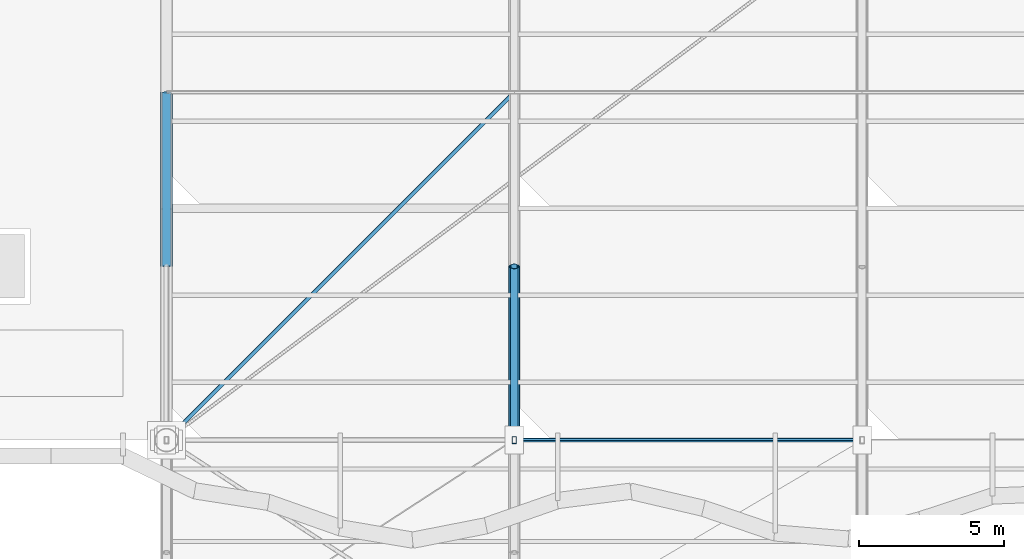
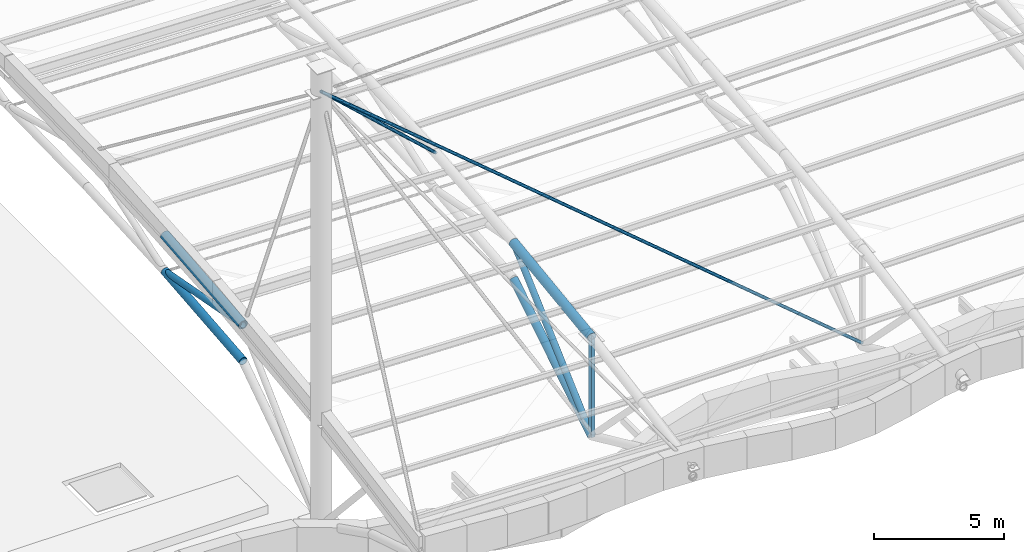
# One storey, part 4 of 29: 9 members.
"""IFC4 building model written with IfcOpenShell, lengths in metres."""

from ifc_helpers import new_model, si_unit, direction, frame, origin, origin_2d, place, context, subcontext, project, spatial, hollow_rectangle, hollow_circle, extrude, material, material_profile, profile_set, type_object, element, save


model = new_model("IFC4")

# Units and contexts
model_context = context("Model", 3, precision=1e-05, world=origin(), true_north=direction((0.0, 1.0)))
body_context = subcontext(model_context, "Body", "Model", "MODEL_VIEW")
ifc_project = project(units=[si_unit("LENGTHUNIT", "METRE"), si_unit("AREAUNIT", "SQUARE_METRE"), si_unit("VOLUMEUNIT", "CUBIC_METRE"), si_unit("PLANEANGLEUNIT", "RADIAN"), si_unit("MASSUNIT", "GRAM", prefix="KILO")], contexts=[model_context])

# Site, building, storey
site_placement = place(None, origin())
site = spatial("IfcSite", under=ifc_project, at=site_placement, CompositionType="ELEMENT")
building_placement = place(site_placement, origin())
building = spatial("IfcBuilding", under=site, at=building_placement, Name="Keelwater Ferry Terminal", CompositionType="ELEMENT")
storey_placement = place(building_placement, frame((0.0, 0.0, 27.89990234375)))
storey = spatial("IfcBuildingStorey", under=building, at=storey_placement, Name="RF", CompositionType="ELEMENT", Elevation=27.89990234375)

# Members
ifc_material_1 = material(Name="Steel S355", Category="steel")
ifc_material_profile_1 = material_profile(ifc_material_1, hollow_circle(Radius=0.136474609375, WallThickness=0.012451171875, at=origin_2d()), Name="CHS 273x12.5")
ifc_profile_set_1 = profile_set([ifc_material_profile_1], Name="Steel S355")
member_type_1 = type_object("IfcMemberType", Name="BR2 CHS 273x12.5", PredefinedType="BRACE", material=ifc_profile_set_1)
member_1_placement = place(storey_placement, frame((48.0, 48.0, -7.291015625), z_axis=(0.0, 0.982995131621, -0.183631618216), x_axis=(-1.0, 0.0, 0.0)))
element("IfcMember", 1, at=member_1_placement, inside=storey, type_object=member_type_1, Name="Structural Member MB-RF-0014", PredefinedType="BRACE", context=body_context, shape_type="SweptSolid", body=[
    extrude(hollow_circle(Radius=0.136474609375, WallThickness=0.012451171875, at=origin_2d()), origin(), (0.0, 0.0, 1.0), 6.103759765625),
])
member_2_placement = place(storey_placement, frame((60.0, 42.0, -13.0498046875), z_axis=(0.0, 0.741707352726, 0.670723641235), x_axis=(-1.0, 0.0, 0.0)))
element("IfcMember", 2, at=member_2_placement, inside=storey, type_object=member_type_1, Name="Structural Member MB-RF-0043", PredefinedType="BRACE", context=body_context, shape_type="SweptSolid", body=[
    extrude(hollow_circle(Radius=0.136474609375, WallThickness=0.012451171875, at=origin_2d()), origin(), (0.0, 0.0, 1.0), 8.08935546875),
])
ifc_material_2 = material(Name="Steel S355", Category="steel")
ifc_material_profile_2 = material_profile(ifc_material_2, hollow_rectangle(XDim=0.14990234375, YDim=0.25, WallThickness=0.010009765625, at=origin_2d()), Name="RHS 250x150x10")
ifc_profile_set_2 = profile_set([ifc_material_profile_2], Name="Steel S355")
member_type_2 = type_object("IfcMemberType", Name="BR5 RHS 250x150x10", PredefinedType="BRACE", material=ifc_profile_set_2)
member_3_placement = place(storey_placement, frame((60.0, 42.0, -13.0498046875), z_axis=(0.0, 0.0, 1.0), x_axis=(1.0, 0.0, 0.0)))
element("IfcMember", 3, at=member_3_placement, inside=storey, type_object=member_type_2, Name="Structural Member MB-RF-0033", PredefinedType="BRACE", context=body_context, shape_type="SweptSolid", body=[
    extrude(hollow_rectangle(XDim=0.14990234375, YDim=0.25, WallThickness=0.010009765625, at=origin_2d()), origin(), (0.0, 0.0, 1.0), 4.615966796875),
])
ifc_material_3 = material(Name="Steel S460", Category="steel")
ifc_material_profile_3 = material_profile(ifc_material_3, hollow_circle(Radius=0.06982421875, WallThickness=0.010009765625, at=origin_2d()), Name="CHS 139.7x10")
ifc_profile_set_3 = profile_set([ifc_material_profile_3], Name="Steel S460")
member_type_3 = type_object("IfcMemberType", Name="SC2E CHS 139.7x10", PredefinedType="USERDEFINED", material=ifc_profile_set_3)
member_4_placement = place(storey_placement, frame((48.0, 42.0, 7.300048828125), z_axis=(0.765077272354, 0.0, -0.643938481011), x_axis=(0.0, 1.0, 0.0)))
element("IfcMember", 4, at=member_4_placement, inside=storey, type_object=member_type_3, Name="Structural Member MB-RF-0390", ObjectType="CABLE", PredefinedType="USERDEFINED", context=body_context, shape_type="SweptSolid", body=[
    extrude(hollow_circle(Radius=0.06982421875, WallThickness=0.010009765625, at=origin_2d()), origin(), (0.0, 0.0, 1.0), 31.369384765625),
])
member_5_placement = place(storey_placement, frame((48.0, 42.0, 7.300048828125), z_axis=(0.540011458903, 0.540011458903, -0.645581326021), x_axis=(-0.707106781187, 0.707106781187, 0.0)))
element("IfcMember", 5, at=member_5_placement, inside=storey, type_object=member_type_3, Name="Structural Member MB-RF-0391", ObjectType="CABLE", PredefinedType="USERDEFINED", context=body_context, shape_type="SweptSolid", body=[
    extrude(hollow_circle(Radius=0.06982421875, WallThickness=0.010009765625, at=origin_2d()), origin(), (0.0, 0.0, 1.0), 22.2216796875),
])
ifc_material_4 = material(Name="Steel S355", Category="steel")
ifc_material_profile_4 = material_profile(ifc_material_4, hollow_circle(Radius=0.203125, WallThickness=0.01611328125, at=origin_2d()), Name="CHS 406.4x16")
ifc_profile_set_4 = profile_set([ifc_material_profile_4], Name="Steel S355")
member_type_4 = type_object("IfcMemberType", Name="TC1 CHS 406.4x16", PredefinedType="CHORD", material=ifc_profile_set_4)
member_6_placement = place(storey_placement, frame((48.0, 48.0, -7.291015625), z_axis=(0.0, 0.995374532886, 0.096070491211), x_axis=(-1.0, 0.0, 0.0)))
element("IfcMember", 6, at=member_6_placement, inside=storey, type_object=member_type_4, Name="Structural Member MB-RF-0012", PredefinedType="CHORD", context=body_context, shape_type="SweptSolid", body=[
    extrude(hollow_circle(Radius=0.203125, WallThickness=0.01611328125, at=origin_2d()), origin(), (0.0, 0.0, 1.0), 6.02783203125),
])
member_7_placement = place(storey_placement, frame((60.0, 42.0, -8.433837890625), z_axis=(0.0, 0.991014257244, 0.133756278128), x_axis=(-1.0, 0.0, 0.0)))
element("IfcMember", 7, at=member_7_placement, inside=storey, type_object=member_type_4, Name="Structural Member MB-RF-0041", PredefinedType="CHORD", context=body_context, shape_type="SweptSolid", body=[
    extrude(hollow_circle(Radius=0.203125, WallThickness=0.01611328125, at=origin_2d()), origin(), (0.0, 0.0, 1.0), 6.054443359375),
])
ifc_material_5 = material(Name="Steel S355", Category="steel")
ifc_material_profile_5 = material_profile(ifc_material_5, hollow_circle(Radius=0.177734375, WallThickness=0.01611328125, at=origin_2d()), Name="CHS 355.6x16")
ifc_profile_set_5 = profile_set([ifc_material_profile_5], Name="Steel S355")
member_type_5 = type_object("IfcMemberType", Name="TC2 CHS 355.6x16", PredefinedType="CHORD", material=ifc_profile_set_5)
member_8_placement = place(storey_placement, frame((48.0, 48.0, -8.990966796875), z_axis=(0.0, 0.995374532886, 0.096070491211), x_axis=(-1.0, 0.0, 0.0)))
element("IfcMember", 8, at=member_8_placement, inside=storey, type_object=member_type_5, Name="Structural Member MB-RF-0013", PredefinedType="CHORD", context=body_context, shape_type="SweptSolid", body=[
    extrude(hollow_circle(Radius=0.177734375, WallThickness=0.01611328125, at=origin_2d()), origin(), (0.0, 0.0, 1.0), 6.02783203125),
])
member_9_placement = place(storey_placement, frame((60.0, 42.0, -13.0498046875), z_axis=(0.0, 0.849532796236, 0.527535807428), x_axis=(-1.0, 0.0, 0.0)))
element("IfcMember", 9, at=member_9_placement, inside=storey, type_object=member_type_5, Name="Structural Member MB-RF-0042", PredefinedType="CHORD", context=body_context, shape_type="SweptSolid", body=[
    extrude(hollow_circle(Radius=0.177734375, WallThickness=0.01611328125, at=origin_2d()), origin(), (0.0, 0.0, 1.0), 7.062744140625),
])

save(model, "model.ifc")
